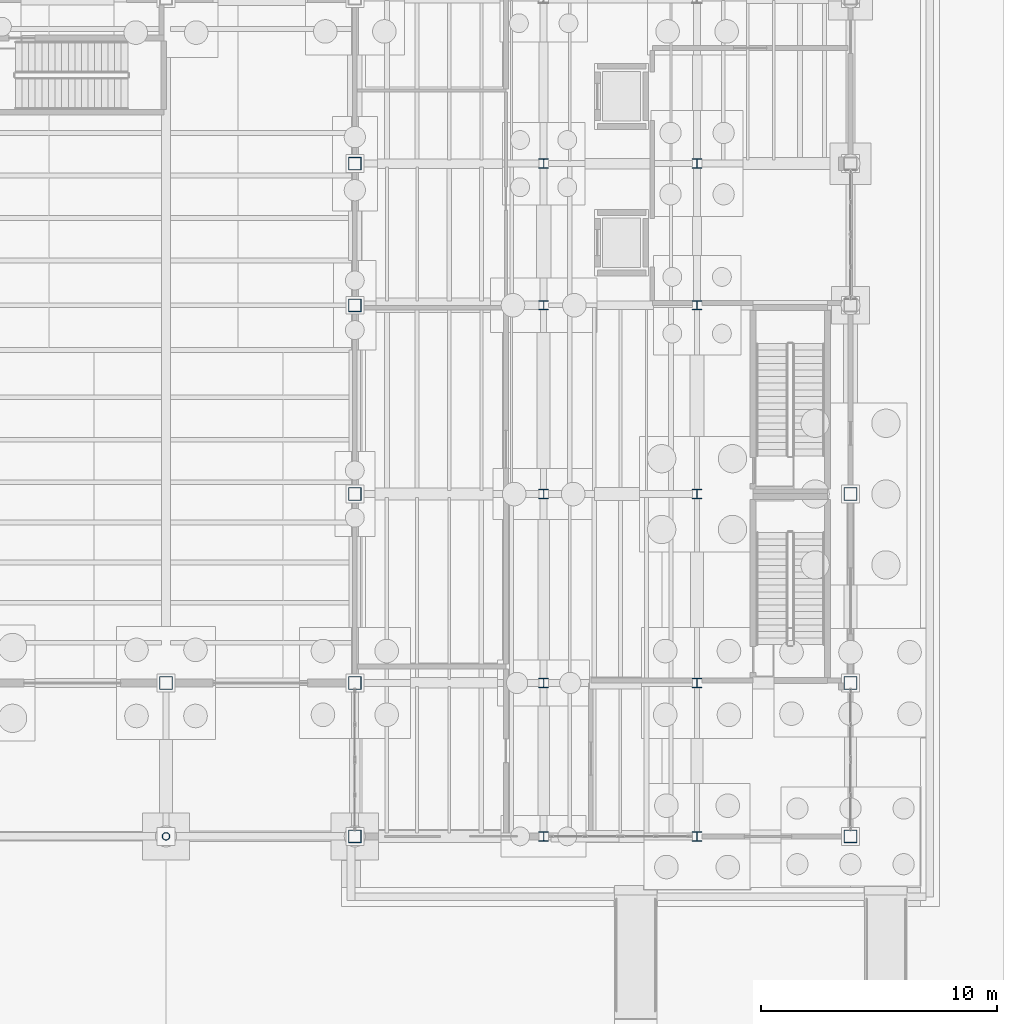
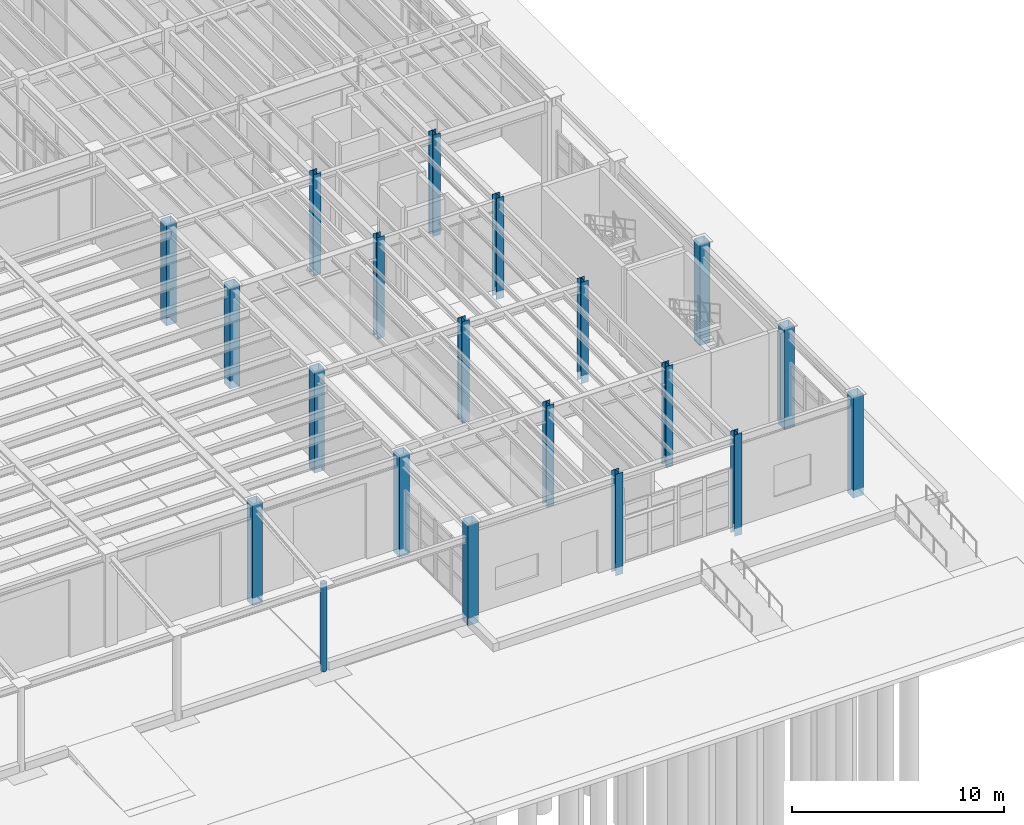
# One storey, part 19 of 86: 20 columns.
"""IFC4 building model written with IfcOpenShell, lengths in metres."""

from ifc_helpers import new_model, si_unit, direction, frame, origin, origin_2d, place, context, subcontext, project, spatial, hollow_rectangle, hollow_circle, i_section, extrude, material, material_profile, profile_set, type_object, element, save


model = new_model("IFC4")

# Units and contexts
model_context = context("Model", 3, precision=1e-05, world=origin(), true_north=direction((0.0, 1.0)))
body_context = subcontext(model_context, "Body", "Model", "MODEL_VIEW")
ifc_project = project(units=[si_unit("LENGTHUNIT", "METRE"), si_unit("AREAUNIT", "SQUARE_METRE"), si_unit("VOLUMEUNIT", "CUBIC_METRE"), si_unit("PLANEANGLEUNIT", "RADIAN"), si_unit("MASSUNIT", "GRAM", prefix="KILO"), si_unit("THERMODYNAMICTEMPERATUREUNIT", "KELVIN"), si_unit("POWERUNIT", "WATT")], contexts=[model_context])

# Site, building, storey
site_placement = place(None, origin())
site = spatial("IfcSite", under=ifc_project, at=site_placement, CompositionType="ELEMENT")
building_placement = place(site_placement, origin())
building = spatial("IfcBuilding", under=site, at=building_placement, Name="Zhenchuan Central Fire Station", CompositionType="ELEMENT")
storey_placement = place(building_placement, frame((0.0, 0.0, 0.449951171875)))
storey = spatial("IfcBuildingStorey", under=building, at=storey_placement, Name="L01", CompositionType="ELEMENT", Elevation=0.449951171875)

# Columns
ifc_material = material(Name="Steel Q355B", Category="steel")
ifc_material_profile_1 = material_profile(ifc_material, hollow_rectangle(XDim=0.550048828125, YDim=0.550048828125, WallThickness=0.02587890625, at=origin_2d()), Name="BOX 550x550x26")
ifc_profile_set_1 = profile_set([ifc_material_profile_1], Name="Steel Q355B")
column_type_1 = type_object("IfcColumnType", Name="COL-BOX550", PredefinedType="COLUMN", material=ifc_profile_set_1)
for number, where, z_axis, x_axis, name in (
    (1, (132.0, 6.5, -0.449951171875), (0.0, 0.0, 1.0), (1.0, 0.0, 0.0), "L01 Column 095"),
    (2, (140.0, 6.5, -0.449951171875), (0.0, 0.0, 1.0), (1.0, 0.0, 0.0), "L01 Column 101"),
    (3, (140.0, 14.5, -0.449951171875), (0.0, 0.0, 1.0), (1.0, 0.0, 0.0), "L01 Column 102"),
    (4, (140.0, 22.5, -0.449951171875), (0.0, 0.0, 1.0), (1.0, 0.0, 0.0), "L01 Column 103"),
    (5, (140.0, 28.5, -0.449951171875), (0.0, 0.0, 1.0), (1.0, 0.0, 0.0), "L01 Column 104"),
):
    element("IfcColumn", number, at=place(storey_placement, frame(where, z_axis=z_axis, x_axis=x_axis)), inside=storey, type_object=column_type_1, Name=name, PredefinedType="COLUMN", context=body_context, shape_type="SweptSolid", body=[
        extrude(hollow_rectangle(XDim=0.550048828125, YDim=0.550048828125, WallThickness=0.02587890625, at=origin_2d()), origin(), (0.0, 0.0, 1.0), 5.85009765625),
    ])
ifc_material_profile_2 = material_profile(ifc_material, hollow_rectangle(XDim=0.550048828125, YDim=0.550048828125, WallThickness=0.02587890625, at=origin_2d()), Name="BOX 550x550x26")
ifc_profile_set_2 = profile_set([ifc_material_profile_2], Name="Steel Q355B")
column_type_2 = type_object("IfcColumnType", Name="COL-BOX550-EXT", PredefinedType="COLUMN", material=ifc_profile_set_2)
for number, where, z_axis, x_axis, name in (
    (6, (140.0, 0.0, -0.449951171875), (0.0, 0.0, 1.0), (1.0, 0.0, 0.0), "L01 Column 100"),
    (7, (161.0, 0.0, -0.449951171875), (0.0, 0.0, 1.0), (1.0, 0.0, 0.0), "L01 Column 126"),
    (8, (161.0, 6.5, -0.449951171875), (0.0, 0.0, 1.0), (1.0, 0.0, 0.0), "L01 Column 127"),
    (9, (161.0, 14.5, -0.449951171875), (0.0, 0.0, 1.0), (1.0, 0.0, 0.0), "L01 Column 128"),
):
    element("IfcColumn", number, at=place(storey_placement, frame(where, z_axis=z_axis, x_axis=x_axis)), inside=storey, type_object=column_type_2, Name=name, PredefinedType="COLUMN", context=body_context, shape_type="SweptSolid", body=[
        extrude(hollow_rectangle(XDim=0.550048828125, YDim=0.550048828125, WallThickness=0.02587890625, at=origin_2d()), origin(), (0.0, 0.0, 1.0), 5.85009765625),
    ])
ifc_material_profile_3 = material_profile(ifc_material, hollow_circle(Radius=0.161865234375, WallThickness=0.013916015625, at=origin_2d()), Name="CHS 323.9x14")
ifc_profile_set_3 = profile_set([ifc_material_profile_3], Name="Steel Q355B")
column_type_3 = type_object("IfcColumnType", Name="COL-CHS324", PredefinedType="COLUMN", material=ifc_profile_set_3)
column_placement = place(storey_placement, frame((132.0, 0.0, -0.449951171875), z_axis=(0.0, 0.0, 1.0), x_axis=(1.0, 0.0, 0.0)))
element("IfcColumn", 10, at=column_placement, inside=storey, type_object=column_type_3, Name="L01 Column 094", PredefinedType="COLUMN", context=body_context, shape_type="SweptSolid", body=[
    extrude(hollow_circle(Radius=0.161865234375, WallThickness=0.013916015625, at=origin_2d()), origin(), (0.0, 0.0, 1.0), 5.06005859375),
])
ifc_material_profile_4 = material_profile(ifc_material, i_section(OverallWidth=0.39990234375, OverallDepth=0.39990234375, WebThickness=0.012939453125, FlangeThickness=0.02099609375, FilletRadius=0.02197265625, at=origin_2d()), Name="HW 400x400")
ifc_profile_set_4 = profile_set([ifc_material_profile_4], Name="Steel Q355B")
column_type_4 = type_object("IfcColumnType", Name="COL-HW400", PredefinedType="COLUMN", material=ifc_profile_set_4)
for number, where, z_axis, x_axis, name in (
    (11, (148.0, 0.0, -0.449951171875), (0.0, 0.0, 1.0), (1.0, 0.0, 0.0), "L01 Column 109"),
    (12, (154.5, 0.0, -0.449951171875), (0.0, 0.0, 1.0), (1.0, 0.0, 0.0), "L01 Column 118"),
):
    element("IfcColumn", number, at=place(storey_placement, frame(where, z_axis=z_axis, x_axis=x_axis)), inside=storey, type_object=column_type_4, Name=name, PredefinedType="COLUMN", context=body_context, shape_type="SweptSolid", body=[
        extrude(i_section(OverallWidth=0.39990234375, OverallDepth=0.39990234375, WebThickness=0.012939453125, FlangeThickness=0.02099609375, FilletRadius=0.02197265625, at=origin_2d()), origin(), (0.0, 0.0, 1.0), 5.85009765625),
    ])
ifc_material_profile_5 = material_profile(ifc_material, i_section(OverallWidth=0.39990234375, OverallDepth=0.39990234375, WebThickness=0.012939453125, FlangeThickness=0.02099609375, FilletRadius=0.02197265625, at=origin_2d()), Name="HW 400x400")
ifc_profile_set_5 = profile_set([ifc_material_profile_5], Name="Steel Q355B")
column_type_5 = type_object("IfcColumnType", Name="COL-HW400-INT", PredefinedType="COLUMN", material=ifc_profile_set_5)
for number, where, z_axis, x_axis, name in (
    (13, (148.0, 6.5, -0.449951171875), (0.0, 0.0, 1.0), (1.0, 0.0, 0.0), "L01 Column 110"),
    (14, (148.0, 14.5, -0.449951171875), (0.0, 0.0, 1.0), (1.0, 0.0, 0.0), "L01 Column 111"),
    (15, (148.0, 22.5, -0.449951171875), (0.0, 0.0, 1.0), (1.0, 0.0, 0.0), "L01 Column 112"),
    (16, (148.0, 28.5, -0.449951171875), (0.0, 0.0, 1.0), (1.0, 0.0, 0.0), "L01 Column 113"),
    (17, (154.5, 6.5, -0.449951171875), (0.0, 0.0, 1.0), (1.0, 0.0, 0.0), "L01 Column 119"),
    (18, (154.5, 14.5, -0.449951171875), (0.0, 0.0, 1.0), (1.0, 0.0, 0.0), "L01 Column 120"),
    (19, (154.5, 22.5, -0.449951171875), (0.0, 0.0, 1.0), (1.0, 0.0, 0.0), "L01 Column 121"),
    (20, (154.5, 28.5, -0.449951171875), (0.0, 0.0, 1.0), (1.0, 0.0, 0.0), "L01 Column 122"),
):
    element("IfcColumn", number, at=place(storey_placement, frame(where, z_axis=z_axis, x_axis=x_axis)), inside=storey, type_object=column_type_5, Name=name, PredefinedType="COLUMN", context=body_context, shape_type="SweptSolid", body=[
        extrude(i_section(OverallWidth=0.39990234375, OverallDepth=0.39990234375, WebThickness=0.012939453125, FlangeThickness=0.02099609375, FilletRadius=0.02197265625, at=origin_2d()), origin(), (0.0, 0.0, 1.0), 5.85009765625),
    ])

save(model, "model.ifc")
